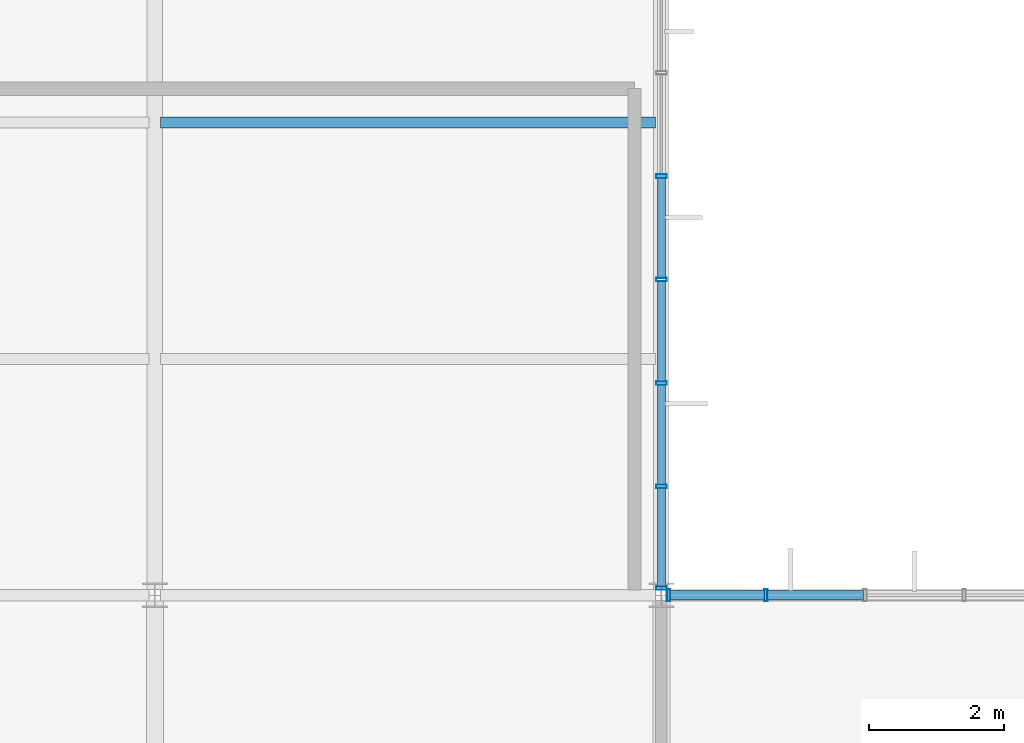
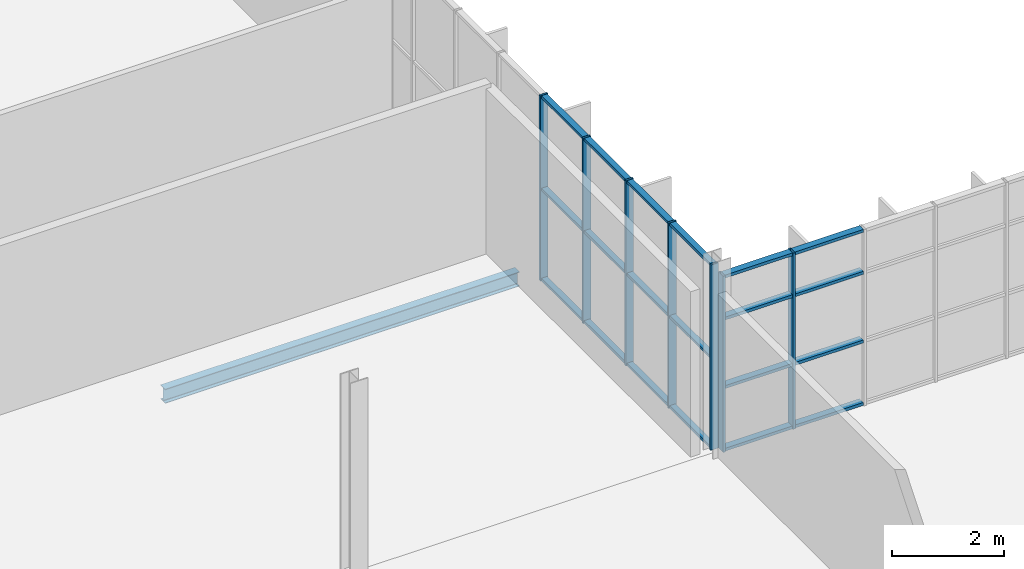
# One storey, part 30 of 324: 27 members, 1 beam, 2 elements without a shape of their own.
"""IFC4 building model written with IfcOpenShell, lengths in metres."""

from ifc_helpers import new_model, si_unit, direction, frame, origin, origin_2d, place, context, subcontext, project, spatial, hollow_rectangle, i_section, extrude, material, layer, layer_set, material_profile, profile_set, type_object, element, aggregate, save


model = new_model("IFC4")

# Units and contexts
model_context = context("Model", 3, precision=1e-05, world=origin(), true_north=direction((0.0, 1.0)))
body_context = subcontext(model_context, "Body", "Model", "MODEL_VIEW")
ifc_project = project(units=[si_unit("LENGTHUNIT", "METRE"), si_unit("AREAUNIT", "SQUARE_METRE"), si_unit("VOLUMEUNIT", "CUBIC_METRE"), si_unit("PLANEANGLEUNIT", "RADIAN"), si_unit("MASSUNIT", "GRAM", prefix="KILO")], contexts=[model_context])

# Site, building, storey
site_placement = place(None, origin())
site = spatial("IfcSite", under=ifc_project, at=site_placement, CompositionType="ELEMENT")
building_placement = place(site_placement, origin())
building = spatial("IfcBuilding", under=site, at=building_placement, Name="Solvenia Promenade Tram Depot", CompositionType="ELEMENT")
storey_placement = place(building_placement, frame((0.0, 0.0, 4.5)))
storey = spatial("IfcBuildingStorey", under=building, at=storey_placement, Name="L01", CompositionType="ELEMENT", Elevation=4.5)

# Curtain wall, members
ifc_material_1 = material(Name="Anodized aluminium AW-6063 T6", Category="aluminium")
ifc_layer_1 = layer(ifc_material_1, 0.1201171875, Name="Anodized aluminium AW-6063 T6", Category="aluminium")
ifc_layer_set_1 = layer_set([ifc_layer_1], Name="Anodized aluminium AW-6063 T6")
curtain_wall_type_1 = type_object("IfcCurtainWallType", Name="CW-Wash-1500", PredefinedType="NOTDEFINED", material=ifc_layer_set_1)
curtain_wall_1_placement = place(storey_placement, origin())
curtain_wall_1 = element("IfcCurtainWall", 1, at=curtain_wall_1_placement, inside=storey, type_object=curtain_wall_type_1, Name="Curtain Wall CW-V3-E-L1-1", PredefinedType="NOTDEFINED")
ifc_material_profile_1 = material_profile(ifc_material_1, hollow_rectangle(XDim=0.159912109375, YDim=0.052001953125, WallThickness=0.00390625, at=origin_2d()), Name="ALU-M1", Category="aluminium")
ifc_profile_set_1 = profile_set([ifc_material_profile_1], Name="Anodized aluminium AW-6063 T6")
member_type_1 = type_object("IfcMemberType", Name="CWM-Mullion-1", PredefinedType="MULLION", material=ifc_profile_set_1)
member_1_placement = place(storey_placement, frame((45.0, 24.10595703125, 0.0), z_axis=(0.0, 0.0, 1.0), x_axis=(-1.0, 0.0, 0.0)))
member_1 = element("IfcMember", 2, at=member_1_placement, type_object=member_type_1, Name="CW-10 mullion 1", PredefinedType="MULLION", context=body_context, shape_type="SweptSolid", body=[
    extrude(hollow_rectangle(XDim=0.159912109375, YDim=0.052001953125, WallThickness=0.00390625, at=origin_2d()), origin(), (0.0, 0.0, 1.0), 4.050048828125),
])
member_2_placement = place(storey_placement, frame((45.0, 25.611083984375, 0.0), z_axis=(0.0, 0.0, 1.0), x_axis=(-1.0, 0.0, 0.0)))
member_2 = element("IfcMember", 3, at=member_2_placement, type_object=member_type_1, Name="CW-10 mullion 2", PredefinedType="MULLION", context=body_context, shape_type="SweptSolid", body=[
    extrude(hollow_rectangle(XDim=0.159912109375, YDim=0.052001953125, WallThickness=0.00390625, at=origin_2d()), origin(), (0.0, 0.0, 1.0), 4.050048828125),
])
member_3_placement = place(storey_placement, frame((45.0, 27.142333984375, 0.0), z_axis=(0.0, 0.0, 1.0), x_axis=(-1.0, 0.0, 0.0)))
member_3 = element("IfcMember", 4, at=member_3_placement, type_object=member_type_1, Name="CW-10 mullion 3", PredefinedType="MULLION", context=body_context, shape_type="SweptSolid", body=[
    extrude(hollow_rectangle(XDim=0.159912109375, YDim=0.052001953125, WallThickness=0.00390625, at=origin_2d()), origin(), (0.0, 0.0, 1.0), 4.050048828125),
])
member_4_placement = place(storey_placement, frame((45.0, 28.67333984375, 0.0), z_axis=(0.0, 0.0, 1.0), x_axis=(-1.0, 0.0, 0.0)))
member_4 = element("IfcMember", 5, at=member_4_placement, type_object=member_type_1, Name="CW-10 mullion 4", PredefinedType="MULLION", context=body_context, shape_type="SweptSolid", body=[
    extrude(hollow_rectangle(XDim=0.159912109375, YDim=0.052001953125, WallThickness=0.00390625, at=origin_2d()), origin(), (0.0, 0.0, 1.0), 4.050048828125),
])
member_5_placement = place(storey_placement, frame((45.0, 30.204345703125, 0.0), z_axis=(0.0, 0.0, 1.0), x_axis=(-1.0, 0.0, 0.0)))
member_5 = element("IfcMember", 6, at=member_5_placement, type_object=member_type_1, Name="CW-10 mullion 5", PredefinedType="MULLION", context=body_context, shape_type="SweptSolid", body=[
    extrude(hollow_rectangle(XDim=0.159912109375, YDim=0.052001953125, WallThickness=0.00390625, at=origin_2d()), origin(), (0.0, 0.0, 1.0), 4.050048828125),
])

ifc_layer_2 = layer(ifc_material_1, 0.14990234375, Name="Anodized aluminium AW-6063 T6", Category="aluminium")
ifc_layer_set_2 = layer_set([ifc_layer_2], Name="Anodized aluminium AW-6063 T6")
curtain_wall_type_2 = type_object("IfcCurtainWallType", Name="CW-Court-1500", PredefinedType="NOTDEFINED", material=ifc_layer_set_2)
curtain_wall_2_placement = place(storey_placement, origin())
curtain_wall_2 = element("IfcCurtainWall", 7, at=curtain_wall_2_placement, inside=storey, type_object=curtain_wall_type_2, Name="Curtain Wall CW-V4N-L01-07", PredefinedType="NOTDEFINED")
ifc_material_profile_2 = material_profile(ifc_material_1, hollow_rectangle(XDim=0.179931640625, YDim=0.050048828125, WallThickness=0.00390625, at=origin_2d()), Name="ALU-M2", Category="aluminium")
ifc_profile_set_2 = profile_set([ifc_material_profile_2], Name="Anodized aluminium AW-6063 T6")
member_type_2 = type_object("IfcMemberType", Name="CWM-Mullion-2", PredefinedType="MULLION", material=ifc_profile_set_2)
member_6_placement = place(storey_placement, frame((45.10498046875, 24.0, 0.0), z_axis=(0.0, 0.0, 1.0), x_axis=(0.0, 1.0, 0.0)))
member_6 = element("IfcMember", 8, at=member_6_placement, type_object=member_type_2, Name="CW-5 mullion 1", PredefinedType="MULLION", context=body_context, shape_type="SweptSolid", body=[
    extrude(hollow_rectangle(XDim=0.179931640625, YDim=0.050048828125, WallThickness=0.00390625, at=origin_2d()), origin(), (0.0, 0.0, 1.0), 3.85009765625),
])
member_7_placement = place(storey_placement, frame((46.548095703125, 24.0, 0.0), z_axis=(0.0, 0.0, 1.0), x_axis=(0.0, 1.0, 0.0)))
member_7 = element("IfcMember", 9, at=member_7_placement, type_object=member_type_2, Name="CW-5 mullion 2", PredefinedType="MULLION", context=body_context, shape_type="SweptSolid", body=[
    extrude(hollow_rectangle(XDim=0.179931640625, YDim=0.050048828125, WallThickness=0.00390625, at=origin_2d()), origin(), (0.0, 0.0, 1.0), 3.85009765625),
])

# Member
ifc_material_profile_3 = material_profile(ifc_material_1, hollow_rectangle(XDim=0.1201171875, YDim=0.06005859375, WallThickness=0.00390625, at=origin_2d()), Name="ALU-T1", Category="aluminium")
ifc_profile_set_3 = profile_set([ifc_material_profile_3], Name="Anodized aluminium AW-6063 T6")
member_type_3 = type_object("IfcMemberType", Name="CWT-Transom-1", PredefinedType="USERDEFINED", material=ifc_profile_set_3)
member_8_placement = place(storey_placement, frame((45.0, 24.132080078125, 0.030029296875), z_axis=(0.0, 1.0, 0.0), x_axis=(-1.0, 0.0, 0.0)))
member_8 = element("IfcMember", 10, at=member_8_placement, type_object=member_type_3, Name="CW-10 transom 1.1", ObjectType="TRANSOM", PredefinedType="USERDEFINED", context=body_context, shape_type="SweptSolid", body=[
    extrude(hollow_rectangle(XDim=0.1201171875, YDim=0.06005859375, WallThickness=0.00390625, at=origin_2d()), origin(), (0.0, 0.0, 1.0), 1.453125),
])

member_9_placement = place(storey_placement, frame((45.0, 24.132080078125, 2.0), z_axis=(0.0, 1.0, 0.0), x_axis=(-1.0, 0.0, 0.0)))
member_9 = element("IfcMember", 11, at=member_9_placement, type_object=member_type_3, Name="CW-10 transom 1.2", ObjectType="TRANSOM", PredefinedType="USERDEFINED", context=body_context, shape_type="SweptSolid", body=[
    extrude(hollow_rectangle(XDim=0.1201171875, YDim=0.06005859375, WallThickness=0.00390625, at=origin_2d()), origin(), (0.0, 0.0, 1.0), 1.453125),
])

member_10_placement = place(storey_placement, frame((45.0, 24.132080078125, 4.02001953125), z_axis=(0.0, 1.0, 0.0), x_axis=(-1.0, 0.0, 0.0)))
member_10 = element("IfcMember", 12, at=member_10_placement, type_object=member_type_3, Name="CW-10 transom 1.3", ObjectType="TRANSOM", PredefinedType="USERDEFINED", context=body_context, shape_type="SweptSolid", body=[
    extrude(hollow_rectangle(XDim=0.1201171875, YDim=0.06005859375, WallThickness=0.00390625, at=origin_2d()), origin(), (0.0, 0.0, 1.0), 1.453125),
])

member_11_placement = place(storey_placement, frame((45.0, 25.63720703125, 0.030029296875), z_axis=(0.0, 1.0, 0.0), x_axis=(-1.0, 0.0, 0.0)))
member_11 = element("IfcMember", 13, at=member_11_placement, type_object=member_type_3, Name="CW-10 transom 2.1", ObjectType="TRANSOM", PredefinedType="USERDEFINED", context=body_context, shape_type="SweptSolid", body=[
    extrude(hollow_rectangle(XDim=0.1201171875, YDim=0.06005859375, WallThickness=0.00390625, at=origin_2d()), origin(), (0.0, 0.0, 1.0), 1.47900390625),
])

member_12_placement = place(storey_placement, frame((45.0, 25.63720703125, 2.0), z_axis=(0.0, 1.0, 0.0), x_axis=(-1.0, 0.0, 0.0)))
member_12 = element("IfcMember", 14, at=member_12_placement, type_object=member_type_3, Name="CW-10 transom 2.2", ObjectType="TRANSOM", PredefinedType="USERDEFINED", context=body_context, shape_type="SweptSolid", body=[
    extrude(hollow_rectangle(XDim=0.1201171875, YDim=0.06005859375, WallThickness=0.00390625, at=origin_2d()), origin(), (0.0, 0.0, 1.0), 1.47900390625),
])

member_13_placement = place(storey_placement, frame((45.0, 25.63720703125, 4.02001953125), z_axis=(0.0, 1.0, 0.0), x_axis=(-1.0, 0.0, 0.0)))
member_13 = element("IfcMember", 15, at=member_13_placement, type_object=member_type_3, Name="CW-10 transom 2.3", ObjectType="TRANSOM", PredefinedType="USERDEFINED", context=body_context, shape_type="SweptSolid", body=[
    extrude(hollow_rectangle(XDim=0.1201171875, YDim=0.06005859375, WallThickness=0.00390625, at=origin_2d()), origin(), (0.0, 0.0, 1.0), 1.47900390625),
])

member_14_placement = place(storey_placement, frame((45.0, 27.168212890625, 0.030029296875), z_axis=(0.0, 1.0, 0.0), x_axis=(-1.0, 0.0, 0.0)))
member_14 = element("IfcMember", 16, at=member_14_placement, type_object=member_type_3, Name="CW-10 transom 3.1", ObjectType="TRANSOM", PredefinedType="USERDEFINED", context=body_context, shape_type="SweptSolid", body=[
    extrude(hollow_rectangle(XDim=0.1201171875, YDim=0.06005859375, WallThickness=0.00390625, at=origin_2d()), origin(), (0.0, 0.0, 1.0), 1.47900390625),
])

member_15_placement = place(storey_placement, frame((45.0, 27.168212890625, 2.0), z_axis=(0.0, 1.0, 0.0), x_axis=(-1.0, 0.0, 0.0)))
member_15 = element("IfcMember", 17, at=member_15_placement, type_object=member_type_3, Name="CW-10 transom 3.2", ObjectType="TRANSOM", PredefinedType="USERDEFINED", context=body_context, shape_type="SweptSolid", body=[
    extrude(hollow_rectangle(XDim=0.1201171875, YDim=0.06005859375, WallThickness=0.00390625, at=origin_2d()), origin(), (0.0, 0.0, 1.0), 1.47900390625),
])

member_16_placement = place(storey_placement, frame((45.0, 27.168212890625, 4.02001953125), z_axis=(0.0, 1.0, 0.0), x_axis=(-1.0, 0.0, 0.0)))
member_16 = element("IfcMember", 18, at=member_16_placement, type_object=member_type_3, Name="CW-10 transom 3.3", ObjectType="TRANSOM", PredefinedType="USERDEFINED", context=body_context, shape_type="SweptSolid", body=[
    extrude(hollow_rectangle(XDim=0.1201171875, YDim=0.06005859375, WallThickness=0.00390625, at=origin_2d()), origin(), (0.0, 0.0, 1.0), 1.47900390625),
])

member_17_placement = place(storey_placement, frame((45.0, 28.69921875, 0.030029296875), z_axis=(0.0, 1.0, 0.0), x_axis=(-1.0, 0.0, 0.0)))
member_17 = element("IfcMember", 19, at=member_17_placement, type_object=member_type_3, Name="CW-10 transom 4.1", ObjectType="TRANSOM", PredefinedType="USERDEFINED", context=body_context, shape_type="SweptSolid", body=[
    extrude(hollow_rectangle(XDim=0.1201171875, YDim=0.06005859375, WallThickness=0.00390625, at=origin_2d()), origin(), (0.0, 0.0, 1.0), 1.479248046875),
])

member_18_placement = place(storey_placement, frame((45.0, 28.69921875, 2.0), z_axis=(0.0, 1.0, 0.0), x_axis=(-1.0, 0.0, 0.0)))
member_18 = element("IfcMember", 20, at=member_18_placement, type_object=member_type_3, Name="CW-10 transom 4.2", ObjectType="TRANSOM", PredefinedType="USERDEFINED", context=body_context, shape_type="SweptSolid", body=[
    extrude(hollow_rectangle(XDim=0.1201171875, YDim=0.06005859375, WallThickness=0.00390625, at=origin_2d()), origin(), (0.0, 0.0, 1.0), 1.479248046875),
])

member_19_placement = place(storey_placement, frame((45.0, 28.69921875, 4.02001953125), z_axis=(0.0, 1.0, 0.0), x_axis=(-1.0, 0.0, 0.0)))
member_19 = element("IfcMember", 21, at=member_19_placement, type_object=member_type_3, Name="CW-10 transom 4.3", ObjectType="TRANSOM", PredefinedType="USERDEFINED", context=body_context, shape_type="SweptSolid", body=[
    extrude(hollow_rectangle(XDim=0.1201171875, YDim=0.06005859375, WallThickness=0.00390625, at=origin_2d()), origin(), (0.0, 0.0, 1.0), 1.479248046875),
])

aggregate(curtain_wall_1, [member_1, member_2, member_3, member_4, member_5, member_8, member_9, member_10, member_11, member_12, member_13, member_14, member_15, member_16, member_17, member_18, member_19])

ifc_material_profile_4 = material_profile(ifc_material_1, hollow_rectangle(XDim=0.139892578125, YDim=0.06494140625, WallThickness=0.00390625, at=origin_2d()), Name="ALU-T2", Category="aluminium")
ifc_profile_set_4 = profile_set([ifc_material_profile_4], Name="Anodized aluminium AW-6063 T6")
member_type_4 = type_object("IfcMemberType", Name="CWT-Transom-2", PredefinedType="USERDEFINED", material=ifc_profile_set_4)
member_20_placement = place(storey_placement, frame((45.1298828125, 24.0, 0.032470703125), z_axis=(1.0, 0.0, 0.0), x_axis=(0.0, 1.0, 0.0)))
member_20 = element("IfcMember", 22, at=member_20_placement, type_object=member_type_4, Name="CW-5 transom 1.1", ObjectType="TRANSOM", PredefinedType="USERDEFINED", context=body_context, shape_type="SweptSolid", body=[
    extrude(hollow_rectangle(XDim=0.139892578125, YDim=0.06494140625, WallThickness=0.00390625, at=origin_2d()), origin(), (0.0, 0.0, 1.0), 1.39306640625),
])

member_21_placement = place(storey_placement, frame((45.1298828125, 24.0, 1.39990234375), z_axis=(1.0, 0.0, 0.0), x_axis=(0.0, 1.0, 0.0)))
member_21 = element("IfcMember", 23, at=member_21_placement, type_object=member_type_4, Name="CW-5 transom 1.2", ObjectType="TRANSOM", PredefinedType="USERDEFINED", context=body_context, shape_type="SweptSolid", body=[
    extrude(hollow_rectangle(XDim=0.139892578125, YDim=0.06494140625, WallThickness=0.00390625, at=origin_2d()), origin(), (0.0, 0.0, 1.0), 1.39306640625),
])

member_22_placement = place(storey_placement, frame((45.1298828125, 24.0, 2.89990234375), z_axis=(1.0, 0.0, 0.0), x_axis=(0.0, 1.0, 0.0)))
member_22 = element("IfcMember", 24, at=member_22_placement, type_object=member_type_4, Name="CW-5 transom 1.3", ObjectType="TRANSOM", PredefinedType="USERDEFINED", context=body_context, shape_type="SweptSolid", body=[
    extrude(hollow_rectangle(XDim=0.139892578125, YDim=0.06494140625, WallThickness=0.00390625, at=origin_2d()), origin(), (0.0, 0.0, 1.0), 1.39306640625),
])

member_23_placement = place(storey_placement, frame((45.1298828125, 24.0, 3.8173828125), z_axis=(1.0, 0.0, 0.0), x_axis=(0.0, 1.0, 0.0)))
member_23 = element("IfcMember", 25, at=member_23_placement, type_object=member_type_4, Name="CW-5 transom 1.4", ObjectType="TRANSOM", PredefinedType="USERDEFINED", context=body_context, shape_type="SweptSolid", body=[
    extrude(hollow_rectangle(XDim=0.139892578125, YDim=0.06494140625, WallThickness=0.00390625, at=origin_2d()), origin(), (0.0, 0.0, 1.0), 1.39306640625),
])

member_24_placement = place(storey_placement, frame((46.572998046875, 24.0, 0.032470703125), z_axis=(1.0, 0.0, 0.0), x_axis=(0.0, 1.0, 0.0)))
member_24 = element("IfcMember", 26, at=member_24_placement, type_object=member_type_4, Name="CW-5 transom 2.1", ObjectType="TRANSOM", PredefinedType="USERDEFINED", context=body_context, shape_type="SweptSolid", body=[
    extrude(hollow_rectangle(XDim=0.139892578125, YDim=0.06494140625, WallThickness=0.00390625, at=origin_2d()), origin(), (0.0, 0.0, 1.0), 1.41796875),
])

member_25_placement = place(storey_placement, frame((46.572998046875, 24.0, 1.39990234375), z_axis=(1.0, 0.0, 0.0), x_axis=(0.0, 1.0, 0.0)))
member_25 = element("IfcMember", 27, at=member_25_placement, type_object=member_type_4, Name="CW-5 transom 2.2", ObjectType="TRANSOM", PredefinedType="USERDEFINED", context=body_context, shape_type="SweptSolid", body=[
    extrude(hollow_rectangle(XDim=0.139892578125, YDim=0.06494140625, WallThickness=0.00390625, at=origin_2d()), origin(), (0.0, 0.0, 1.0), 1.41796875),
])

member_26_placement = place(storey_placement, frame((46.572998046875, 24.0, 2.89990234375), z_axis=(1.0, 0.0, 0.0), x_axis=(0.0, 1.0, 0.0)))
member_26 = element("IfcMember", 28, at=member_26_placement, type_object=member_type_4, Name="CW-5 transom 2.3", ObjectType="TRANSOM", PredefinedType="USERDEFINED", context=body_context, shape_type="SweptSolid", body=[
    extrude(hollow_rectangle(XDim=0.139892578125, YDim=0.06494140625, WallThickness=0.00390625, at=origin_2d()), origin(), (0.0, 0.0, 1.0), 1.41796875),
])

member_27_placement = place(storey_placement, frame((46.572998046875, 24.0, 3.8173828125), z_axis=(1.0, 0.0, 0.0), x_axis=(0.0, 1.0, 0.0)))
member_27 = element("IfcMember", 29, at=member_27_placement, type_object=member_type_4, Name="CW-5 transom 2.4", ObjectType="TRANSOM", PredefinedType="USERDEFINED", context=body_context, shape_type="SweptSolid", body=[
    extrude(hollow_rectangle(XDim=0.139892578125, YDim=0.06494140625, WallThickness=0.00390625, at=origin_2d()), origin(), (0.0, 0.0, 1.0), 1.41796875),
])

aggregate(curtain_wall_2, [member_6, member_7, member_20, member_21, member_22, member_23, member_24, member_25, member_26, member_27])

# Beam
ifc_material_2 = material(Name="Structural steel ASTM A992 Gr. 50", Category="steel")
ifc_material_profile_5 = material_profile(ifc_material_2, i_section(OverallWidth=0.166015625, OverallDepth=0.31298828125, WebThickness=0.006591796875, FlangeThickness=0.01123046875, FilletRadius=0.010009765625, at=origin_2d()), Name="W310x45", Category="steel")
ifc_profile_set_5 = profile_set([ifc_material_profile_5], Name="Structural steel ASTM A992 Gr. 50")
beam_type = type_object("IfcBeamType", Name="Joist-W310x45", PredefinedType="JOIST", material=ifc_profile_set_5)
beam_placement = place(storey_placement, frame((37.5849609375, 31.0, -0.396484375), z_axis=(1.0, 0.0, 0.0), x_axis=(0.0, 1.0, 0.0)))
element("IfcBeam", 30, at=beam_placement, inside=storey, type_object=beam_type, Name="Secondary Floor Joist BM-L01-0294", PredefinedType="JOIST", context=body_context, shape_type="SweptSolid", body=[
    extrude(i_section(OverallWidth=0.166015625, OverallDepth=0.31298828125, WebThickness=0.006591796875, FlangeThickness=0.01123046875, FilletRadius=0.010009765625, at=origin_2d()), origin(), (0.0, 0.0, 1.0), 7.330078125),
])

save(model, "model.ifc")
